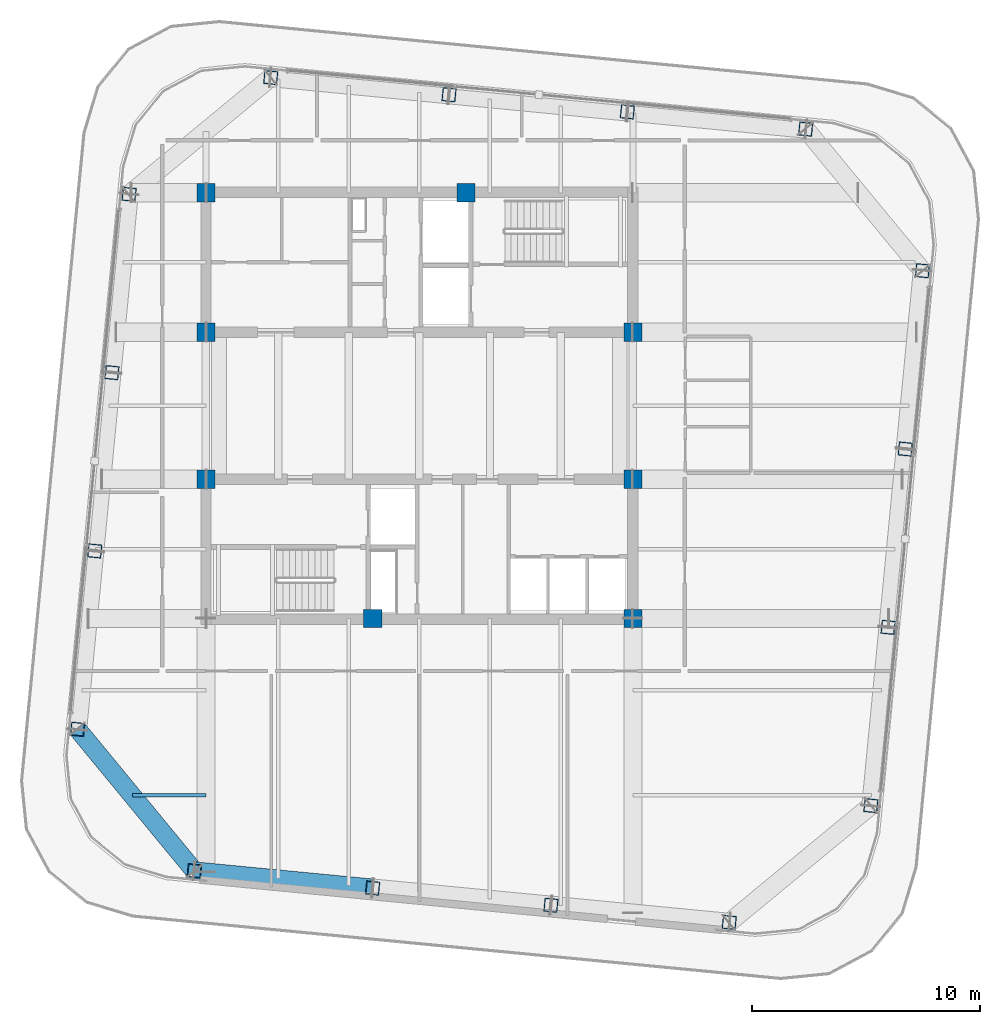
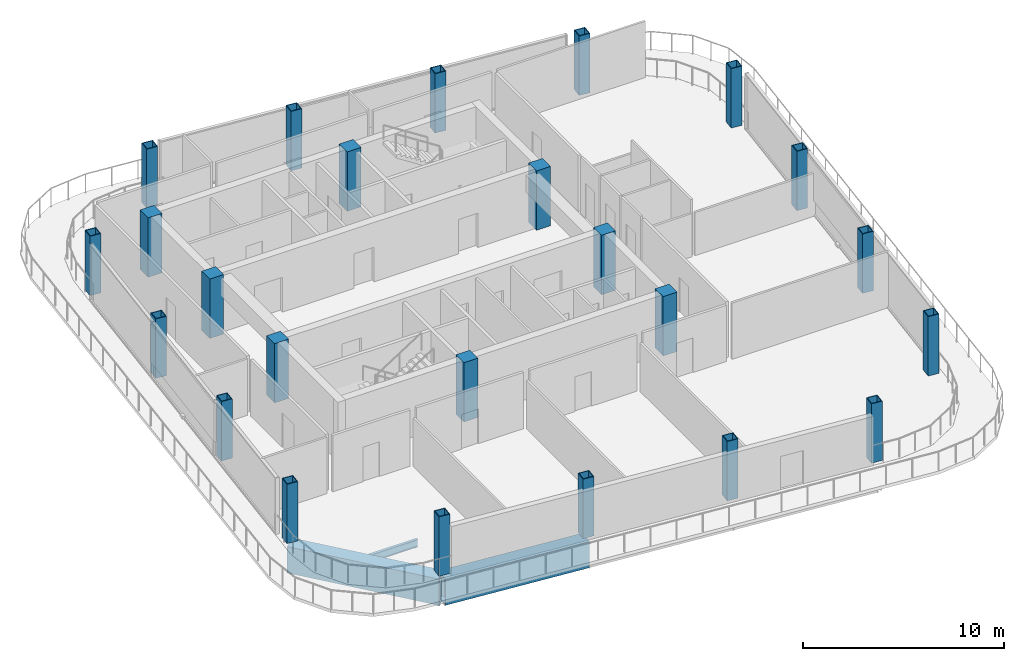
# One storey, part 1 of 20: 24 columns, 3 beams.
"""IFC4 building model written with IfcOpenShell, lengths in metres."""

from ifc_helpers import new_model, si_unit, direction, frame, origin, origin_2d, place, context, subcontext, project, spatial, rectangle, hollow_rectangle, i_section, extrude, material, material_profile, profile_set, type_object, element, save


model = new_model("IFC4")

# Units and contexts
model_context = context("Model", 3, precision=1e-05, world=origin(), true_north=direction((0.0, 1.0)))
body_context = subcontext(model_context, "Body", "Model", "MODEL_VIEW")
ifc_project = project(units=[si_unit("LENGTHUNIT", "METRE"), si_unit("AREAUNIT", "SQUARE_METRE"), si_unit("VOLUMEUNIT", "CUBIC_METRE"), si_unit("PLANEANGLEUNIT", "RADIAN"), si_unit("MASSUNIT", "GRAM", prefix="KILO")], contexts=[model_context])

# Site, building, storey
site_placement = place(None, origin())
site = spatial("IfcSite", under=ifc_project, at=site_placement, CompositionType="ELEMENT")
building_placement = place(site_placement, origin())
building = spatial("IfcBuilding", under=site, at=building_placement, Name="Qhalaya Broadcast Tower", CompositionType="ELEMENT")
storey_placement = place(building_placement, frame((0.0, 0.0, 273.35009765625)))
storey = spatial("IfcBuildingStorey", under=building, at=storey_placement, Name="L81", CompositionType="ELEMENT", Elevation=273.35009765625)

# Columns
ifc_material_1 = material(Name="Concrete C50/60", Category="concrete")
ifc_material_profile_1 = material_profile(ifc_material_1, rectangle(XDim=0.800048828125, YDim=0.800048828125, at=origin_2d()), Name="RC-COL 800x800")
ifc_profile_set_1 = profile_set([ifc_material_profile_1], Name="Concrete C50/60")
column_type_1 = type_object("IfcColumnType", Name="RC Upper Column C10", PredefinedType="COLUMN", material=ifc_profile_set_1)
for number, where, z_axis, x_axis, name in (
    (1, (-9.375, 9.949951171875, 0.0), (0.0, 0.0, 1.0), (1.0, 0.0, 0.0), "L81 Column COL-CC1"),
    (2, (2.050048828125, 9.949951171875, 0.0), (0.0, 0.0, 1.0), (1.0, 0.0, 0.0), "L81 Column COL-CC2"),
    (3, (-9.375, 3.824951171875, 0.0), (0.0, 0.0, 1.0), (1.0, 0.0, 0.0), "L81 Column COL-CC3"),
    (4, (9.375, 3.824951171875, 0.0), (0.0, 0.0, 1.0), (1.0, 0.0, 0.0), "L81 Column COL-CC4"),
    (5, (-9.375, -2.625, 0.0), (0.0, 0.0, 1.0), (1.0, 0.0, 0.0), "L81 Column COL-CC5"),
    (6, (9.375, -2.625, 0.0), (0.0, 0.0, 1.0), (1.0, 0.0, 0.0), "L81 Column COL-CC6"),
    (7, (-2.050048828125, -8.75, 0.0), (0.0, 0.0, 1.0), (1.0, 0.0, 0.0), "L81 Column COL-CC7"),
    (8, (9.375, -8.75, 0.0), (0.0, 0.0, 1.0), (1.0, 0.0, 0.0), "L81 Column COL-CC8"),
):
    element("IfcColumn", number, at=place(storey_placement, frame(where, z_axis=z_axis, x_axis=x_axis)), inside=storey, type_object=column_type_1, Name=name, PredefinedType="COLUMN", context=body_context, shape_type="SweptSolid", body=[
        extrude(rectangle(XDim=0.800048828125, YDim=0.800048828125, at=origin_2d()), origin(), (0.0, 0.0, 1.0), 3.599853515625),
    ])
ifc_material_2 = material(Name="Structural Steel ASTM A572 Grade 50", Category="steel")
ifc_material_profile_2 = material_profile(ifc_material_2, hollow_rectangle(XDim=0.60009765625, YDim=0.60009765625, WallThickness=0.0400390625, at=origin_2d()), Name="BOX 600x600x40")
ifc_profile_set_2 = profile_set([ifc_material_profile_2], Name="Structural Steel ASTM A572 Grade 50")
column_type_2 = type_object("IfcColumnType", Name="Steel Box Column C05", PredefinedType="COLUMN", material=ifc_profile_set_2)
for number, where, z_axis, x_axis, name in (
    (9, (-9.883056640625, -19.82861328125, 0.0), (0.0, 0.0, 1.0), (0.995396198367, -0.09584575252, 0.0), "L81 Column COL-CR01"),
    (10, (-2.052490234375, -20.58251953125, 0.0), (0.0, 0.0, 1.0), (0.995396198367, -0.09584575252, 0.0), "L81 Column COL-CR02"),
    (11, (5.77783203125, -21.33642578125, 0.0), (0.0, 0.0, 1.0), (0.995396198367, -0.09584575252, 0.0), "L81 Column COL-CR03"),
    (12, (13.6083984375, -22.09033203125, 0.0), (0.0, 0.0, 1.0), (0.995396198367, -0.09584575252, 0.0), "L81 Column COL-CR04"),
    (13, (19.82861328125, -16.962890625, 0.0), (0.0, 0.0, 1.0), (0.09584575252, 0.995396198367, 0.0), "L81 Column COL-CR05"),
    (14, (20.58251953125, -9.132568359375, 0.0), (0.0, 0.0, 1.0), (0.09584575252, 0.995396198367, 0.0), "L81 Column COL-CR06"),
    (15, (21.33642578125, -1.302001953125, 0.0), (0.0, 0.0, 1.0), (0.09584575252, 0.995396198367, 0.0), "L81 Column COL-CR07"),
    (16, (22.09033203125, 6.5283203125, 0.0), (0.0, 0.0, 1.0), (0.09584575252, 0.995396198367, 0.0), "L81 Column COL-CR08"),
    (17, (16.962890625, 12.74853515625, 0.0), (0.0, 0.0, 1.0), (0.995396198367, -0.09584575252, 0.0), "L81 Column COL-CR09"),
    (18, (9.132568359375, 13.50244140625, 0.0), (0.0, 0.0, 1.0), (0.995396198367, -0.09584575252, 0.0), "L81 Column COL-CR10"),
    (19, (1.302001953125, 14.25634765625, 0.0), (0.0, 0.0, 1.0), (0.995396198367, -0.09584575252, 0.0), "L81 Column COL-CR11"),
    (20, (-6.5283203125, 15.010498046875, 0.0), (0.0, 0.0, 1.0), (0.995396198367, -0.09584575252, 0.0), "L81 Column COL-CR12"),
    (21, (-12.74853515625, 9.883056640625, 0.0), (0.0, 0.0, 1.0), (0.09584575252, 0.995396198367, 0.0), "L81 Column COL-CR13"),
    (22, (-13.50244140625, 2.052490234375, 0.0), (0.0, 0.0, 1.0), (0.09584575252, 0.995396198367, 0.0), "L81 Column COL-CR14"),
    (23, (-14.25634765625, -5.77783203125, 0.0), (0.0, 0.0, 1.0), (0.09584575252, 0.995396198367, 0.0), "L81 Column COL-CR15"),
    (24, (-15.010498046875, -13.6083984375, 0.0), (0.0, 0.0, 1.0), (0.09584575252, 0.995396198367, 0.0), "L81 Column COL-CR16"),
):
    element("IfcColumn", number, at=place(storey_placement, frame(where, z_axis=z_axis, x_axis=x_axis)), inside=storey, type_object=column_type_2, Name=name, PredefinedType="COLUMN", context=body_context, shape_type="SweptSolid", body=[
        extrude(hollow_rectangle(XDim=0.60009765625, YDim=0.60009765625, WallThickness=0.0400390625, at=origin_2d()), origin(), (0.0, 0.0, 1.0), 3.599853515625),
    ])

# Beams
ifc_material_3 = material(Name="Structural Steel ASTM A992 Grade 50", Category="steel")
ifc_material_profile_3 = material_profile(ifc_material_3, i_section(OverallWidth=0.154052734375, OverallDepth=0.458984375, WebThickness=0.009033203125, FlangeThickness=0.015380859375, at=origin_2d()), Name="W18X46")
ifc_profile_set_3 = profile_set([ifc_material_profile_3], Name="Structural Steel ASTM A992 Grade 50")
beam_type_1 = type_object("IfcBeamType", Name="Composite Floor Joist J04", PredefinedType="JOIST", material=ifc_profile_set_3)
beam_1_placement = place(storey_placement, frame((-12.600830078125, -16.5, -0.419677734375), z_axis=(1.0, 0.0, 0.0), x_axis=(0.0, 1.0, 0.0)))
element("IfcBeam", 25, at=beam_1_placement, inside=storey, type_object=beam_type_1, Name="L81 J04 L81-JWE1W-1", PredefinedType="JOIST", context=body_context, shape_type="SweptSolid", body=[
    extrude(i_section(OverallWidth=0.154052734375, OverallDepth=0.458984375, WebThickness=0.009033203125, FlangeThickness=0.015380859375, at=origin_2d()), origin(), (0.0, 0.0, 1.0), 3.225830078125),
])
ifc_material_profile_4 = material_profile(ifc_material_2, hollow_rectangle(XDim=0.800048828125, YDim=1.60009765625, WallThickness=0.050048828125, at=origin_2d()), Name="BOX 800x1600x50")
ifc_profile_set_4 = profile_set([ifc_material_profile_4], Name="Structural Steel ASTM A572 Grade 50")
beam_type_2 = type_object("IfcBeamType", Name="Upper Cantilever Transfer Box Girder TG2", PredefinedType="USERDEFINED", material=ifc_profile_set_4)
beam_2_placement = place(storey_placement, frame((-9.883056640625, -19.82861328125, -0.989990234375), z_axis=(0.995397308407, -0.095834223619, 0.0), x_axis=(0.095834223619, 0.995397308407, 0.0)))
element("IfcBeam", 26, at=beam_2_placement, inside=storey, type_object=beam_type_2, Name="L81 TG2 L81-SPR-01", ObjectType="GIRDER", PredefinedType="USERDEFINED", context=body_context, shape_type="SweptSolid", body=[
    extrude(hollow_rectangle(XDim=0.800048828125, YDim=1.60009765625, WallThickness=0.050048828125, at=origin_2d()), origin(), (0.0, 0.0, 1.0), 7.86669921875),
])
beam_3_placement = place(storey_placement, frame((-15.010498046875, -13.6083984375, -0.989990234375), z_axis=(0.636070241972, -0.771631160126, 0.0), x_axis=(0.771631160126, 0.636070241972, 0.0)))
element("IfcBeam", 27, at=beam_3_placement, inside=storey, type_object=beam_type_2, Name="L81 TG2 L81-SPR-16", ObjectType="GIRDER", PredefinedType="USERDEFINED", context=body_context, shape_type="SweptSolid", body=[
    extrude(hollow_rectangle(XDim=0.800048828125, YDim=1.60009765625, WallThickness=0.050048828125, at=origin_2d()), origin(), (0.0, 0.0, 1.0), 8.06103515625),
])

save(model, "model.ifc")
